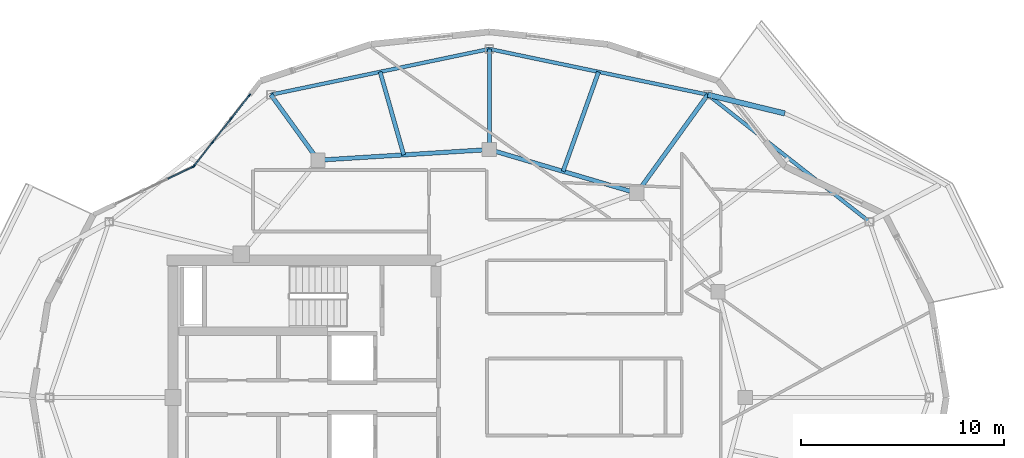
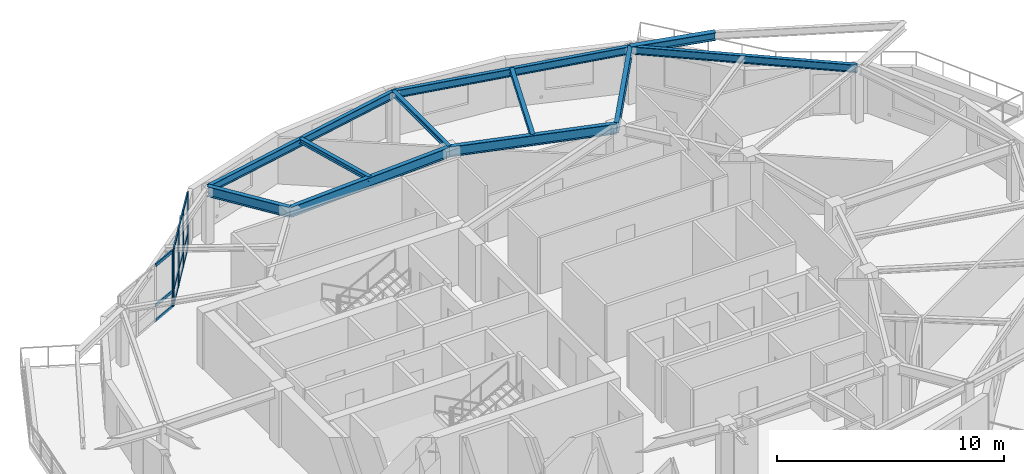
# One storey, part 5 of 14: 17 members, 11 beams, 2 elements without a shape of their own.
"""IFC4 building model written with IfcOpenShell, lengths in metres."""

from ifc_helpers import new_model, si_unit, direction, frame, origin, origin_2d, place, context, subcontext, project, spatial, rectangle, i_section, extrude, material, layer, layer_set, material_profile, profile_set, type_object, element, aggregate, save


model = new_model("IFC4")

# Units and contexts
model_context = context("Model", 3, precision=1e-05, world=origin(), true_north=direction((0.0, 1.0)))
body_context = subcontext(model_context, "Body", "Model", "MODEL_VIEW")
ifc_project = project(units=[si_unit("LENGTHUNIT", "METRE"), si_unit("AREAUNIT", "SQUARE_METRE"), si_unit("VOLUMEUNIT", "CUBIC_METRE"), si_unit("PLANEANGLEUNIT", "RADIAN"), si_unit("MASSUNIT", "GRAM", prefix="KILO")], contexts=[model_context])

# Site, building, storey
site_placement = place(None, origin())
site = spatial("IfcSite", under=ifc_project, at=site_placement, CompositionType="ELEMENT")
building_placement = place(site_placement, origin())
building = spatial("IfcBuilding", under=site, at=building_placement, Name="Kolvaren Gate Tower and Convention Centre", CompositionType="ELEMENT")
storey_placement = place(building_placement, frame((0.0, 0.0, 252.5)))
storey = spatial("IfcBuildingStorey", under=building, at=storey_placement, Name="L68", CompositionType="ELEMENT", Elevation=252.5)

# Curtain wall, members
ifc_material_1 = material(Name="Anodized Architectural Aluminium Alloy 6063-T6", Category="aluminium")
ifc_layer = layer(ifc_material_1, 0.159912109375)
ifc_layer_set = layer_set([ifc_layer], Name="Anodized Architectural Aluminium Alloy 6063-T6")
curtain_wall_type = type_object("IfcCurtainWallType", Name="CW-RES-UNIT", PredefinedType="NOTDEFINED", material=ifc_layer_set)
curtain_wall_1_placement = place(storey_placement, origin())
curtain_wall_1 = element("IfcCurtainWall", 1, at=curtain_wall_1_placement, inside=storey, type_object=curtain_wall_type, Name="Tower L68 Unitised Curtain Wall CW-RES-UNIT Bay 08", PredefinedType="NOTDEFINED")
ifc_material_profile_1 = material_profile(ifc_material_1, rectangle(XDim=0.06494140625, YDim=0.159912109375, at=origin_2d()), Name="CW-MEM-MUL-160")
ifc_profile_set_1 = profile_set([ifc_material_profile_1], Name="Anodized Architectural Aluminium Alloy 6063-T6")
member_type_1 = type_object("IfcMemberType", Name="CW-MEM-MUL-160", PredefinedType="MULLION", material=ifc_profile_set_1)
member_1_placement = place(storey_placement, frame((15.5927734375, 38.39599609375, 0.0), z_axis=(0.0, 0.0, 1.0), x_axis=(-0.787413633564, 0.61642499112, 0.0)))
member_1 = element("IfcMember", 2, at=member_1_placement, type_object=member_type_1, Name="CW-04 mullion 1", PredefinedType="MULLION", context=body_context, shape_type="SweptSolid", body=[
    extrude(rectangle(XDim=0.06494140625, YDim=0.159912109375, at=origin_2d()), origin(), (0.0, 0.0, 1.0), 3.030029296875),
])
member_2_placement = place(storey_placement, frame((16.493408203125, 39.54638671875, 0.0), z_axis=(0.0, 0.0, 1.0), x_axis=(-0.787413633564, 0.61642499112, 0.0)))
member_2 = element("IfcMember", 3, at=member_2_placement, type_object=member_type_1, Name="CW-04 mullion 2", PredefinedType="MULLION", context=body_context, shape_type="SweptSolid", body=[
    extrude(rectangle(XDim=0.06494140625, YDim=0.159912109375, at=origin_2d()), origin(), (0.0, 0.0, 1.0), 3.030029296875),
])
member_3_placement = place(storey_placement, frame((17.4140625, 40.72265625, 0.0), z_axis=(0.0, 0.0, 1.0), x_axis=(-0.787413633564, 0.61642499112, 0.0)))
member_3 = element("IfcMember", 4, at=member_3_placement, type_object=member_type_1, Name="CW-04 mullion 3", PredefinedType="MULLION", context=body_context, shape_type="SweptSolid", body=[
    extrude(rectangle(XDim=0.06494140625, YDim=0.159912109375, at=origin_2d()), origin(), (0.0, 0.0, 1.0), 3.030029296875),
])
member_4_placement = place(storey_placement, frame((18.31494140625, 41.873046875, 0.0), z_axis=(0.0, 0.0, 1.0), x_axis=(-0.787413633564, 0.61642499112, 0.0)))
member_4 = element("IfcMember", 5, at=member_4_placement, type_object=member_type_1, Name="CW-04 mullion 4", PredefinedType="MULLION", context=body_context, shape_type="SweptSolid", body=[
    extrude(rectangle(XDim=0.06494140625, YDim=0.159912109375, at=origin_2d()), origin(), (0.0, 0.0, 1.0), 3.030029296875),
])

# Curtain wall, member
curtain_wall_2_placement = place(storey_placement, origin())
curtain_wall_2 = element("IfcCurtainWall", 6, at=curtain_wall_2_placement, inside=storey, type_object=curtain_wall_type, Name="Tower L68 Unitised Curtain Wall CW-RES-UNIT Bay 09", PredefinedType="NOTDEFINED")
member_5_placement = place(storey_placement, frame((15.54345703125, 38.356201171875, 0.0), z_axis=(0.0, 0.0, 1.0), x_axis=(-0.433067331688, 0.901361573523, 0.0)))
member_5 = element("IfcMember", 7, at=member_5_placement, type_object=member_type_1, Name="CW-04 mullion 4", PredefinedType="MULLION", context=body_context, shape_type="SweptSolid", body=[
    extrude(rectangle(XDim=0.06494140625, YDim=0.159912109375, at=origin_2d()), origin(), (0.0, 0.0, 1.0), 3.030029296875),
])

# Member
ifc_material_profile_2 = material_profile(ifc_material_1, rectangle(XDim=0.06494140625, YDim=0.159912109375, at=origin_2d()), Name="CW-MEM-TRN-160")
ifc_profile_set_2 = profile_set([ifc_material_profile_2], Name="Anodized Architectural Aluminium Alloy 6063-T6")
member_type_2 = type_object("IfcMemberType", Name="CW-MEM-TRN-160", PredefinedType="USERDEFINED", material=ifc_profile_set_2)
member_6_placement = place(storey_placement, frame((15.61279296875, 38.42138671875, 0.032470703125), z_axis=(0.616407273095, 0.787427503758, 0.0), x_axis=(-0.787427503758, 0.616407273095, 0.0)))
member_6 = element("IfcMember", 8, at=member_6_placement, type_object=member_type_2, Name="CW-04 transom 1.1", ObjectType="TRANSOM", PredefinedType="USERDEFINED", context=body_context, shape_type="SweptSolid", body=[
    extrude(rectangle(XDim=0.06494140625, YDim=0.159912109375, at=origin_2d()), origin(), (0.0, 0.0, 1.0), 1.396240234375),
])

member_7_placement = place(storey_placement, frame((15.61279296875, 38.42138671875, 0.85009765625), z_axis=(0.616407273095, 0.787427503758, 0.0), x_axis=(-0.787427503758, 0.616407273095, 0.0)))
member_7 = element("IfcMember", 9, at=member_7_placement, type_object=member_type_2, Name="CW-04 transom 1.2", ObjectType="TRANSOM", PredefinedType="USERDEFINED", context=body_context, shape_type="SweptSolid", body=[
    extrude(rectangle(XDim=0.06494140625, YDim=0.159912109375, at=origin_2d()), origin(), (0.0, 0.0, 1.0), 1.396240234375),
])

member_8_placement = place(storey_placement, frame((15.61279296875, 38.42138671875, 2.99755859375), z_axis=(0.616407273095, 0.787427503758, 0.0), x_axis=(-0.787427503758, 0.616407273095, 0.0)))
member_8 = element("IfcMember", 10, at=member_8_placement, type_object=member_type_2, Name="CW-04 transom 1.3", ObjectType="TRANSOM", PredefinedType="USERDEFINED", context=body_context, shape_type="SweptSolid", body=[
    extrude(rectangle(XDim=0.06494140625, YDim=0.159912109375, at=origin_2d()), origin(), (0.0, 0.0, 1.0), 1.396240234375),
])

member_9_placement = place(storey_placement, frame((16.513427734375, 39.572021484375, 0.032470703125), z_axis=(0.616386589807, 0.787443694436, 0.0), x_axis=(-0.787443694436, 0.616386589807, 0.0)))
member_9 = element("IfcMember", 11, at=member_9_placement, type_object=member_type_2, Name="CW-04 transom 2.1", ObjectType="TRANSOM", PredefinedType="USERDEFINED", context=body_context, shape_type="SweptSolid", body=[
    extrude(rectangle(XDim=0.06494140625, YDim=0.159912109375, at=origin_2d()), origin(), (0.0, 0.0, 1.0), 1.4287109375),
])

member_10_placement = place(storey_placement, frame((16.513427734375, 39.572021484375, 0.85009765625), z_axis=(0.616386589807, 0.787443694436, 0.0), x_axis=(-0.787443694436, 0.616386589807, 0.0)))
member_10 = element("IfcMember", 12, at=member_10_placement, type_object=member_type_2, Name="CW-04 transom 2.2", ObjectType="TRANSOM", PredefinedType="USERDEFINED", context=body_context, shape_type="SweptSolid", body=[
    extrude(rectangle(XDim=0.06494140625, YDim=0.159912109375, at=origin_2d()), origin(), (0.0, 0.0, 1.0), 1.4287109375),
])

member_11_placement = place(storey_placement, frame((16.513427734375, 39.572021484375, 2.99755859375), z_axis=(0.616386589807, 0.787443694436, 0.0), x_axis=(-0.787443694436, 0.616386589807, 0.0)))
member_11 = element("IfcMember", 13, at=member_11_placement, type_object=member_type_2, Name="CW-04 transom 2.3", ObjectType="TRANSOM", PredefinedType="USERDEFINED", context=body_context, shape_type="SweptSolid", body=[
    extrude(rectangle(XDim=0.06494140625, YDim=0.159912109375, at=origin_2d()), origin(), (0.0, 0.0, 1.0), 1.4287109375),
])

member_12_placement = place(storey_placement, frame((17.43408203125, 40.748046875, 0.032470703125), z_axis=(0.616515680657, 0.787342629041, 0.0), x_axis=(-0.787342629041, 0.616515680657, 0.0)))
member_12 = element("IfcMember", 14, at=member_12_placement, type_object=member_type_2, Name="CW-04 transom 3.1", ObjectType="TRANSOM", PredefinedType="USERDEFINED", context=body_context, shape_type="SweptSolid", body=[
    extrude(rectangle(XDim=0.06494140625, YDim=0.159912109375, at=origin_2d()), origin(), (0.0, 0.0, 1.0), 1.396240234375),
])

member_13_placement = place(storey_placement, frame((17.43408203125, 40.748046875, 0.85009765625), z_axis=(0.616515680657, 0.787342629041, 0.0), x_axis=(-0.787342629041, 0.616515680657, 0.0)))
member_13 = element("IfcMember", 15, at=member_13_placement, type_object=member_type_2, Name="CW-04 transom 3.2", ObjectType="TRANSOM", PredefinedType="USERDEFINED", context=body_context, shape_type="SweptSolid", body=[
    extrude(rectangle(XDim=0.06494140625, YDim=0.159912109375, at=origin_2d()), origin(), (0.0, 0.0, 1.0), 1.396240234375),
])

member_14_placement = place(storey_placement, frame((17.43408203125, 40.748046875, 2.99755859375), z_axis=(0.616515680657, 0.787342629041, 0.0), x_axis=(-0.787342629041, 0.616515680657, 0.0)))
member_14 = element("IfcMember", 16, at=member_14_placement, type_object=member_type_2, Name="CW-04 transom 3.3", ObjectType="TRANSOM", PredefinedType="USERDEFINED", context=body_context, shape_type="SweptSolid", body=[
    extrude(rectangle(XDim=0.06494140625, YDim=0.159912109375, at=origin_2d()), origin(), (0.0, 0.0, 1.0), 1.396240234375),
])

aggregate(curtain_wall_1, [member_1, member_2, member_3, member_4, member_6, member_7, member_8, member_9, member_10, member_11, member_12, member_13, member_14])

member_15_placement = place(storey_placement, frame((14.3125, 37.764892578125, 0.032470703125), z_axis=(0.901420149121, 0.432945394661, 0.0), x_axis=(-0.432945394661, 0.901420149121, 0.0)))
member_15 = element("IfcMember", 17, at=member_15_placement, type_object=member_type_2, Name="CW-04 transom 3.1", ObjectType="TRANSOM", PredefinedType="USERDEFINED", context=body_context, shape_type="SweptSolid", body=[
    extrude(rectangle(XDim=0.06494140625, YDim=0.159912109375, at=origin_2d()), origin(), (0.0, 0.0, 1.0), 1.3330078125),
])

member_16_placement = place(storey_placement, frame((14.3125, 37.764892578125, 0.85009765625), z_axis=(0.901420149121, 0.432945394661, 0.0), x_axis=(-0.432945394661, 0.901420149121, 0.0)))
member_16 = element("IfcMember", 18, at=member_16_placement, type_object=member_type_2, Name="CW-04 transom 3.2", ObjectType="TRANSOM", PredefinedType="USERDEFINED", context=body_context, shape_type="SweptSolid", body=[
    extrude(rectangle(XDim=0.06494140625, YDim=0.159912109375, at=origin_2d()), origin(), (0.0, 0.0, 1.0), 1.3330078125),
])

member_17_placement = place(storey_placement, frame((14.3125, 37.764892578125, 2.99755859375), z_axis=(0.901420149121, 0.432945394661, 0.0), x_axis=(-0.432945394661, 0.901420149121, 0.0)))
member_17 = element("IfcMember", 19, at=member_17_placement, type_object=member_type_2, Name="CW-04 transom 3.3", ObjectType="TRANSOM", PredefinedType="USERDEFINED", context=body_context, shape_type="SweptSolid", body=[
    extrude(rectangle(XDim=0.06494140625, YDim=0.159912109375, at=origin_2d()), origin(), (0.0, 0.0, 1.0), 1.3330078125),
])

aggregate(curtain_wall_2, [member_5, member_15, member_16, member_17])

# Beams
ifc_material_2 = material(Name="Structural steel ASTM A992 Grade 345 MPa", Category="steel")
ifc_material_profile_3 = material_profile(ifc_material_2, i_section(OverallWidth=0.260009765625, OverallDepth=0.419921875, WebThickness=0.013427734375, FlangeThickness=0.0224609375, at=origin_2d()), Name="W410X132")
ifc_profile_set_3 = profile_set([ifc_material_profile_3], Name="Structural steel ASTM A992 Grade 345 MPa")
beam_type_1 = type_object("IfcBeamType", Name="STR-BM-W410X132", PredefinedType="BEAM", material=ifc_profile_set_3)
beam_1_placement = place(storey_placement, frame((40.877685546875, 41.899169921875, 2.820556640625), z_axis=(0.971737499765, -0.236064041204, 0.0), x_axis=(0.236064041204, 0.971737499765, 0.0)))
element("IfcBeam", 20, at=beam_1_placement, inside=storey, type_object=beam_type_1, Name="Tower L69 Planted Balcony Outrigger Cantilever BC-1B", PredefinedType="BEAM", context=body_context, shape_type="SweptSolid", body=[
    extrude(i_section(OverallWidth=0.260009765625, OverallDepth=0.419921875, WebThickness=0.013427734375, FlangeThickness=0.0224609375, at=origin_2d()), origin(), (0.0, 0.0, 1.0), 3.89990234375),
])
ifc_material_profile_4 = material_profile(ifc_material_2, i_section(OverallWidth=0.2119140625, OverallDepth=0.5439453125, WebThickness=0.01318359375, FlangeThickness=0.021240234375, at=origin_2d()), Name="W530X123")
ifc_profile_set_4 = profile_set([ifc_material_profile_4], Name="Structural steel ASTM A992 Grade 345 MPa")
beam_type_2 = type_object("IfcBeamType", Name="STR-BM-W530X123", PredefinedType="BEAM", material=ifc_profile_set_4)
beam_2_placement = place(storey_placement, frame((37.381591796875, 37.054931640625, 2.758056640625), z_axis=(-0.958980837827, 0.283470902706, 0.0), x_axis=(-0.283470902706, -0.958980837827, 0.0)))
element("IfcBeam", 21, at=beam_2_placement, inside=storey, type_object=beam_type_2, Name="Tower L68 Primary Ring Girder G-03", PredefinedType="BEAM", context=body_context, shape_type="SweptSolid", body=[
    extrude(i_section(OverallWidth=0.2119140625, OverallDepth=0.5439453125, WebThickness=0.01318359375, FlangeThickness=0.021240234375, at=origin_2d()), origin(), (0.0, 0.0, 1.0), 7.56689453125),
])
beam_3_placement = place(storey_placement, frame((30.125, 39.199951171875, 2.758056640625), z_axis=(-0.998078258568, -0.06196603726, 0.0), x_axis=(0.06196603726, -0.998078258568, 0.0)))
element("IfcBeam", 22, at=beam_3_placement, inside=storey, type_object=beam_type_2, Name="Tower L68 Primary Ring Girder G-04", PredefinedType="BEAM", context=body_context, shape_type="SweptSolid", body=[
    extrude(i_section(OverallWidth=0.2119140625, OverallDepth=0.5439453125, WebThickness=0.01318359375, FlangeThickness=0.021240234375, at=origin_2d()), origin(), (0.0, 0.0, 1.0), 8.443115234375),
])
beam_4_placement = place(storey_placement, frame((37.381591796875, 37.054931640625, 2.758056640625), z_axis=(0.585212989833, 0.810879619013, 0.0), x_axis=(-0.810879619013, 0.585212989833, 0.0)))
element("IfcBeam", 23, at=beam_4_placement, inside=storey, type_object=beam_type_2, Name="Tower L68 Radial Floor Girder RB-03", PredefinedType="BEAM", context=body_context, shape_type="SweptSolid", body=[
    extrude(i_section(OverallWidth=0.2119140625, OverallDepth=0.5439453125, WebThickness=0.01318359375, FlangeThickness=0.021240234375, at=origin_2d()), origin(), (0.0, 0.0, 1.0), 5.97412109375),
])
beam_5_placement = place(storey_placement, frame((21.697998046875, 38.6767578125, 2.758056640625), z_axis=(-0.585223600457, 0.810871961205, 0.0), x_axis=(-0.810871961205, -0.585223600457, 0.0)))
element("IfcBeam", 24, at=beam_5_placement, inside=storey, type_object=beam_type_2, Name="Tower L68 Radial Floor Girder RB-05", PredefinedType="BEAM", context=body_context, shape_type="SweptSolid", body=[
    extrude(i_section(OverallWidth=0.2119140625, OverallDepth=0.5439453125, WebThickness=0.01318359375, FlangeThickness=0.021240234375, at=origin_2d()), origin(), (0.0, 0.0, 1.0), 3.97412109375),
])
ifc_material_profile_5 = material_profile(ifc_material_2, i_section(OverallWidth=0.202880859375, OverallDepth=0.251953125, WebThickness=0.008056640625, FlangeThickness=0.013427734375, at=origin_2d()), Name="W250X58")
ifc_profile_set_5 = profile_set([ifc_material_profile_5], Name="Structural steel ASTM A992 Grade 345 MPa")
beam_type_3 = type_object("IfcBeamType", Name="STR-JS-W250X58", PredefinedType="JOIST", material=ifc_profile_set_5)
beam_6_placement = place(storey_placement, frame((30.125, 39.199951171875, 2.904052734375), z_axis=(0.0, 1.0, 0.0), x_axis=(-1.0, 0.0, 0.0)))
element("IfcBeam", 25, at=beam_6_placement, inside=storey, type_object=beam_type_3, Name="Tower L68 Radial Floor Girder RB-04", PredefinedType="JOIST", context=body_context, shape_type="SweptSolid", body=[
    extrude(i_section(OverallWidth=0.202880859375, OverallDepth=0.251953125, WebThickness=0.008056640625, FlangeThickness=0.013427734375, at=origin_2d()), origin(), (0.0, 0.0, 1.0), 4.949951171875),
])
beam_7_placement = place(storey_placement, frame((33.75341796875, 38.12744140625, 2.904052734375), z_axis=(0.336131158814, 0.941815185731, 0.0), x_axis=(-0.941815185731, 0.336131158814, 0.0)))
element("IfcBeam", 26, at=beam_7_placement, inside=storey, type_object=beam_type_3, Name="Tower L68 Secondary Composite Floor Joist J-03.1", PredefinedType="JOIST", context=body_context, shape_type="SweptSolid", body=[
    extrude(i_section(OverallWidth=0.202880859375, OverallDepth=0.251953125, WebThickness=0.008056640625, FlangeThickness=0.013427734375, at=origin_2d()), origin(), (0.0, 0.0, 1.0), 5.19970703125),
])
beam_8_placement = place(storey_placement, frame((25.91162109375, 38.938232421875, 2.904052734375), z_axis=(-0.273696395326, 0.961816137932, 0.0), x_axis=(-0.961816137932, -0.273696395326, 0.0)))
element("IfcBeam", 27, at=beam_8_placement, inside=storey, type_object=beam_type_3, Name="Tower L68 Secondary Composite Floor Joist J-04.1", PredefinedType="JOIST", context=body_context, shape_type="SweptSolid", body=[
    extrude(i_section(OverallWidth=0.202880859375, OverallDepth=0.251953125, WebThickness=0.008056640625, FlangeThickness=0.013427734375, at=origin_2d()), origin(), (0.0, 0.0, 1.0), 4.24853515625),
])
ifc_material_profile_6 = material_profile(ifc_material_2, i_section(OverallWidth=0.180908203125, OverallDepth=0.4169921875, WebThickness=0.010986328125, FlangeThickness=0.018310546875, at=origin_2d()), Name="W410X85")
ifc_profile_set_6 = profile_set([ifc_material_profile_6], Name="Structural steel ASTM A992 Grade 345 MPa")
beam_type_4 = type_object("IfcBeamType", Name="STR-SP-W410X85", PredefinedType="SPANDREL", material=ifc_profile_set_6)
beam_9_placement = place(storey_placement, frame((48.8388671875, 35.6435546875, 2.821533203125), z_axis=(-0.786299093723, 0.61784604491, 0.0), x_axis=(-0.61784604491, -0.786299093723, 0.0)))
element("IfcBeam", 28, at=beam_9_placement, inside=storey, type_object=beam_type_4, Name="Tower L68 Perimeter Spandrel Beam SP-02", PredefinedType="SPANDREL", context=body_context, shape_type="SweptSolid", body=[
    extrude(i_section(OverallWidth=0.180908203125, OverallDepth=0.4169921875, WebThickness=0.010986328125, FlangeThickness=0.018310546875, at=origin_2d()), origin(), (0.0, 0.0, 1.0), 10.124755859375),
])
for number, where, z_axis, x_axis, name in (
    (29, (40.877685546875, 41.899169921875, 2.821533203125), (-0.97878751616, 0.204878008117, 0.0), (-0.204878008117, -0.97878751616, 0.0), "Tower L68 Perimeter Spandrel Beam SP-03"),
    (30, (30.125, 44.14990234375, 2.821533203125), (-0.97878751616, -0.204878008117, 0.0), (0.204878008117, -0.97878751616, 0.0), "Tower L68 Perimeter Spandrel Beam SP-04"),
):
    element("IfcBeam", number, at=place(storey_placement, frame(where, z_axis=z_axis, x_axis=x_axis)), inside=storey, type_object=beam_type_4, Name=name, PredefinedType="SPANDREL", context=body_context, shape_type="SweptSolid", body=[
        extrude(i_section(OverallWidth=0.180908203125, OverallDepth=0.4169921875, WebThickness=0.010986328125, FlangeThickness=0.018310546875, at=origin_2d()), origin(), (0.0, 0.0, 1.0), 10.98583984375),
    ])

save(model, "model.ifc")
